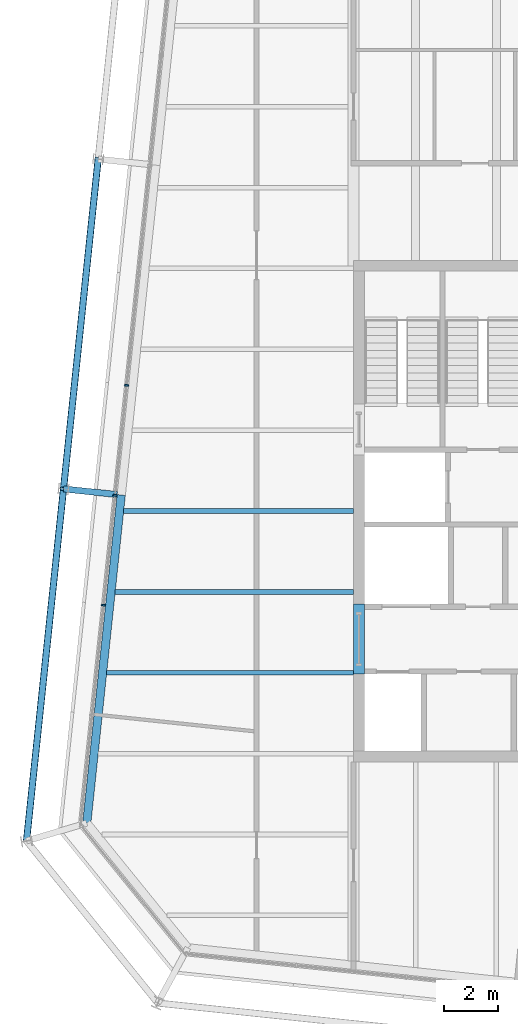
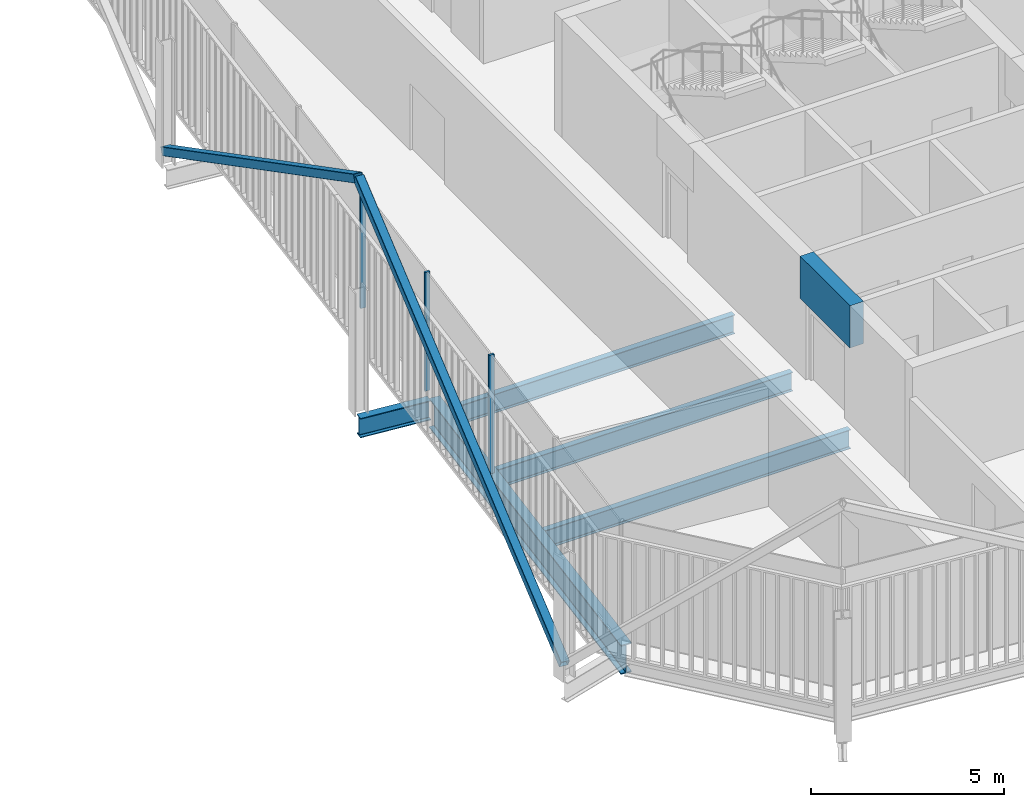
# One storey, part 6 of 21: 6 beams, 5 members, 1 element without a shape of its own.
"""IFC4 building model written with IfcOpenShell, lengths in metres."""

from ifc_helpers import new_model, si_unit, direction, frame, origin, origin_2d, place, context, subcontext, project, spatial, rectangle, hollow_rectangle, i_section, extrude, material, layer, layer_set, material_profile, profile_set, type_object, element, aggregate, save


model = new_model("IFC4")

# Units and contexts
model_context = context("Model", 3, precision=1e-05, world=origin(), true_north=direction((0.0, 1.0)))
body_context = subcontext(model_context, "Body", "Model", "MODEL_VIEW")
ifc_project = project(units=[si_unit("LENGTHUNIT", "METRE"), si_unit("AREAUNIT", "SQUARE_METRE"), si_unit("VOLUMEUNIT", "CUBIC_METRE"), si_unit("PLANEANGLEUNIT", "RADIAN"), si_unit("MASSUNIT", "GRAM", prefix="KILO")], contexts=[model_context])

# Site, building, storey
site_placement = place(None, origin())
site = spatial("IfcSite", under=ifc_project, at=site_placement, CompositionType="ELEMENT")
building_placement = place(site_placement, origin())
building = spatial("IfcBuilding", under=site, at=building_placement, Name="Millrace Tower", CompositionType="ELEMENT")
storey_placement = place(building_placement, frame((0.0, 0.0, 291.60009765625)))
storey = spatial("IfcBuildingStorey", under=building, at=storey_placement, Name="L67", CompositionType="ELEMENT", Elevation=291.60009765625)

# Curtain wall, members
ifc_material_1 = material(Name="Aluminium and glass", Category="aluminium")
ifc_layer = layer(ifc_material_1, 0.14990234375)
ifc_layer_set = layer_set([ifc_layer], Name="Aluminium and glass")
curtain_wall_type = type_object("IfcCurtainWallType", Name="CW-1 office vision curtain wall", PredefinedType="NOTDEFINED", material=ifc_layer_set)
curtain_wall_placement = place(storey_placement, origin())
curtain_wall = element("IfcCurtainWall", 1, at=curtain_wall_placement, inside=storey, type_object=curtain_wall_type, Name="Curtain wall E-F08 L67", PredefinedType="NOTDEFINED")
ifc_material_2 = material(Name="Aluminium", Category="aluminium")
ifc_material_profile_1 = material_profile(ifc_material_2, rectangle(XDim=0.06494140625, YDim=0.14990234375, at=origin_2d()))
ifc_profile_set_1 = profile_set([ifc_material_profile_1], Name="Aluminium")
member_type_1 = type_object("IfcMemberType", Name="CW-1 office vision curtain wall mullion", PredefinedType="MULLION", material=ifc_profile_set_1)
member_1_placement = place(storey_placement, frame((-22.717529296875, 4.664794921875, 0.139892578125), z_axis=(0.0, 0.0, 1.0), x_axis=(-0.104528455196, -0.994521896217, 0.0)))
member_1 = element("IfcMember", 2, at=member_1_placement, type_object=member_type_1, Name="CW1 mullion E-F08.6", PredefinedType="MULLION", context=body_context, shape_type="SweptSolid", body=[
    extrude(rectangle(XDim=0.06494140625, YDim=0.14990234375, at=origin_2d()), origin(), (0.0, 0.0, 1.0), 3.760009765625),
])
member_2_placement = place(storey_placement, frame((-23.146240234375, 0.587158203125, 0.139892578125), z_axis=(0.0, 0.0, 1.0), x_axis=(-0.104528455196, -0.994521896217, 0.0)))
member_2 = element("IfcMember", 3, at=member_2_placement, type_object=member_type_1, Name="CW1 mullion E-F08.7", PredefinedType="MULLION", context=body_context, shape_type="SweptSolid", body=[
    extrude(rectangle(XDim=0.06494140625, YDim=0.14990234375, at=origin_2d()), origin(), (0.0, 0.0, 1.0), 3.760009765625),
])
member_3_placement = place(storey_placement, frame((-23.57470703125, -3.490234375, 0.139892578125), z_axis=(0.0, 0.0, 1.0), x_axis=(-0.104528455196, -0.994521896217, 0.0)))
member_3 = element("IfcMember", 4, at=member_3_placement, type_object=member_type_1, Name="CW1 mullion E-F08.8", PredefinedType="MULLION", context=body_context, shape_type="SweptSolid", body=[
    extrude(rectangle(XDim=0.06494140625, YDim=0.14990234375, at=origin_2d()), origin(), (0.0, 0.0, 1.0), 3.760009765625),
])
aggregate(curtain_wall, [member_1, member_2, member_3])

# Beam
ifc_material_3 = material(Name="Concrete C60", Category="concrete")
ifc_material_profile_2 = material_profile(ifc_material_3, rectangle(XDim=0.39990234375, YDim=1.340087890625, at=origin_2d()))
ifc_profile_set_2 = profile_set([ifc_material_profile_2], Name="Concrete C60")
beam_type_1 = type_object("IfcBeamType", Name="Coupling beam 400 x 1340 Concrete C60, 2000 opening", PredefinedType="BEAM", material=ifc_profile_set_2)
beam_1_placement = place(storey_placement, frame((-14.10009765625, -6.050048828125, 3.06982421875), z_axis=(0.0, 1.0, 0.0), x_axis=(-1.0, 0.0, 0.0)))
element("IfcBeam", 5, at=beam_1_placement, inside=storey, type_object=beam_type_1, Name="Coupling beam W L67", PredefinedType="BEAM", context=body_context, shape_type="SweptSolid", body=[
    extrude(rectangle(XDim=0.39990234375, YDim=1.340087890625, at=origin_2d()), origin(), (0.0, 0.0, 1.0), 2.60009765625),
])

# Members
ifc_material_4 = material(Name="Steel ASTM A500 Grade C", Category="steel")
ifc_material_profile_3 = material_profile(ifc_material_4, hollow_rectangle(XDim=0.25390625, YDim=0.25390625, WallThickness=0.0126953125, InnerFilletRadius=0.00634765625, OuterFilletRadius=0.01904296875, at=origin_2d()))
ifc_profile_set_3 = profile_set([ifc_material_profile_3], Name="Steel ASTM A500 Grade C")
member_type_2 = type_object("IfcMemberType", Name="Exoskeleton brace HSS10x10x1/2", PredefinedType="BRACE", material=ifc_profile_set_3)
member_4_placement = place(storey_placement, frame((-23.771484375, 13.053466796875, 0.39990234375), z_axis=(-0.090859841027, -0.864350167962, 0.494614270348), x_axis=(0.994520342986, -0.104543232143, 0.0)))
element("IfcMember", 6, at=member_4_placement, inside=storey, type_object=member_type_2, Name="BRC-E-L67-15", PredefinedType="BRACE", context=body_context, shape_type="SweptSolid", body=[
    extrude(hollow_rectangle(XDim=0.25390625, YDim=0.25390625, WallThickness=0.0126953125, InnerFilletRadius=0.00634765625, OuterFilletRadius=0.01904296875, at=origin_2d()), origin(), (0.0, 0.0, 1.0), 14.15234375),
])
member_5_placement = place(storey_placement, frame((-26.429443359375, -12.23583984375, 0.39990234375), z_axis=(0.092220680702, 0.877573310314, 0.47048956532), x_axis=(-0.994523779096, 0.104510539239, 0.0)))
element("IfcMember", 7, at=member_5_placement, inside=storey, type_object=member_type_2, Name="BRC-E-L67-16", PredefinedType="BRACE", context=body_context, shape_type="SweptSolid", body=[
    extrude(hollow_rectangle(XDim=0.25390625, YDim=0.25390625, WallThickness=0.0126953125, InnerFilletRadius=0.00634765625, OuterFilletRadius=0.01904296875, at=origin_2d()), origin(), (0.0, 0.0, 1.0), 14.878173828125),
])

# Beams
ifc_material_5 = material(Name="Steel ASTM A992 Grade 50", Category="steel")
ifc_material_profile_4 = material_profile(ifc_material_5, i_section(OverallWidth=0.177978515625, OverallDepth=0.599365234375, WebThickness=0.010009765625, FlangeThickness=0.012939453125, FilletRadius=0.012939453125, at=origin_2d()))
ifc_profile_set_4 = profile_set([ifc_material_profile_4], Name="Steel ASTM A992 Grade 50")
beam_type_2 = type_object("IfcBeamType", Name="Floor beam W24x55", PredefinedType="JOIST", material=ifc_profile_set_4)
beam_2_placement = place(storey_placement, frame((-23.4541015625, -6.0, -0.459716796875), z_axis=(1.0, 0.0, 0.0), x_axis=(0.0, 1.0, 0.0)))
element("IfcBeam", 8, at=beam_2_placement, inside=storey, type_object=beam_type_2, Name="BM-E-L67-S1-S009", PredefinedType="JOIST", context=body_context, shape_type="SweptSolid", body=[
    extrude(i_section(OverallWidth=0.177978515625, OverallDepth=0.599365234375, WebThickness=0.010009765625, FlangeThickness=0.012939453125, FilletRadius=0.012939453125, at=origin_2d()), origin(), (0.0, 0.0, 1.0), 9.154052734375),
])
beam_3_placement = place(storey_placement, frame((-23.138916015625, -3.0, -0.459716796875), z_axis=(1.0, 0.0, 0.0), x_axis=(0.0, 1.0, 0.0)))
element("IfcBeam", 9, at=beam_3_placement, inside=storey, type_object=beam_type_2, Name="BM-E-L67-S1-S012", PredefinedType="JOIST", context=body_context, shape_type="SweptSolid", body=[
    extrude(i_section(OverallWidth=0.177978515625, OverallDepth=0.599365234375, WebThickness=0.010009765625, FlangeThickness=0.012939453125, FilletRadius=0.012939453125, at=origin_2d()), origin(), (0.0, 0.0, 1.0), 8.8388671875),
])
beam_4_placement = place(storey_placement, frame((-22.823486328125, 0.0, -0.459716796875), z_axis=(1.0, 0.0, 0.0), x_axis=(0.0, 1.0, 0.0)))
element("IfcBeam", 10, at=beam_4_placement, inside=storey, type_object=beam_type_2, Name="BM-E-L67-S1-S015", PredefinedType="JOIST", context=body_context, shape_type="SweptSolid", body=[
    extrude(i_section(OverallWidth=0.177978515625, OverallDepth=0.599365234375, WebThickness=0.010009765625, FlangeThickness=0.012939453125, FilletRadius=0.012939453125, at=origin_2d()), origin(), (0.0, 0.0, 1.0), 8.5234375),
])
ifc_material_6 = material(Name="Steel ASTM A992 Grade 50", Category="steel")
ifc_material_profile_5 = material_profile(ifc_material_6, i_section(OverallWidth=0.23046875, OverallDepth=0.6171875, WebThickness=0.01318359375, FlangeThickness=0.022216796875, FilletRadius=0.012939453125, at=origin_2d()))
ifc_profile_set_5 = profile_set([ifc_material_profile_5], Name="Steel ASTM A992 Grade 50")
beam_type_3 = type_object("IfcBeamType", Name="Link beam W24x94", PredefinedType="BEAM", material=ifc_profile_set_5)
beam_5_placement = place(storey_placement, frame((-23.068115234375, 0.61181640625, -0.46875), z_axis=(-0.994526834051, 0.104481464157, 0.0), x_axis=(-0.104481464157, -0.994526834051, 0.0)))
element("IfcBeam", 11, at=beam_5_placement, inside=storey, type_object=beam_type_3, Name="LNK-E-L67-S1-02", PredefinedType="BEAM", context=body_context, shape_type="SweptSolid", body=[
    extrude(i_section(OverallWidth=0.23046875, OverallDepth=0.6171875, WebThickness=0.01318359375, FlangeThickness=0.022216796875, FilletRadius=0.012939453125, at=origin_2d()), origin(), (0.0, 0.0, 1.0), 2.000244140625),
])
ifc_material_7 = material(Name="Steel ASTM A992 Grade 50", Category="steel")
ifc_material_profile_6 = material_profile(ifc_material_7, i_section(OverallWidth=0.307373046875, OverallDepth=0.927001953125, WebThickness=0.01953125, FlangeThickness=0.031982421875, FilletRadius=0.01904296875, at=origin_2d()))
ifc_profile_set_6 = profile_set([ifc_material_profile_6], Name="Steel ASTM A992 Grade 50")
beam_type_4 = type_object("IfcBeamType", Name="Ring beam medium span W36x194", PredefinedType="SPANDREL", material=ifc_profile_set_6)
beam_6_placement = place(storey_placement, frame((-24.1943359375, -11.57373046875, -0.62353515625), z_axis=(0.104527955888, 0.994521948696, 0.0), x_axis=(-0.994521948696, 0.104527955888, 0.0)))
element("IfcBeam", 12, at=beam_6_placement, inside=storey, type_object=beam_type_4, Name="RNG-E-L67-S1-01", PredefinedType="SPANDREL", context=body_context, shape_type="SweptSolid", body=[
    extrude(i_section(OverallWidth=0.307373046875, OverallDepth=0.927001953125, WebThickness=0.01953125, FlangeThickness=0.031982421875, FilletRadius=0.01904296875, at=origin_2d()), origin(), (0.0, 0.0, 1.0), 12.236572265625),
])

save(model, "model.ifc")
